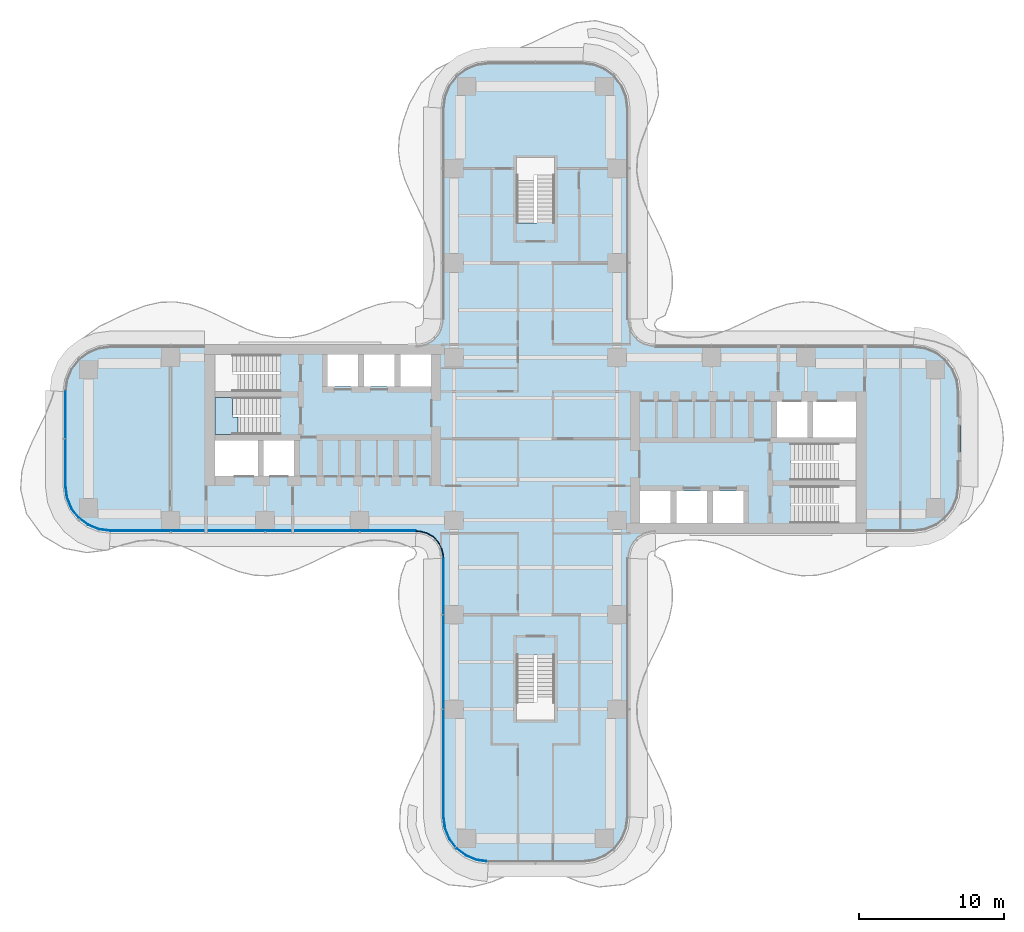
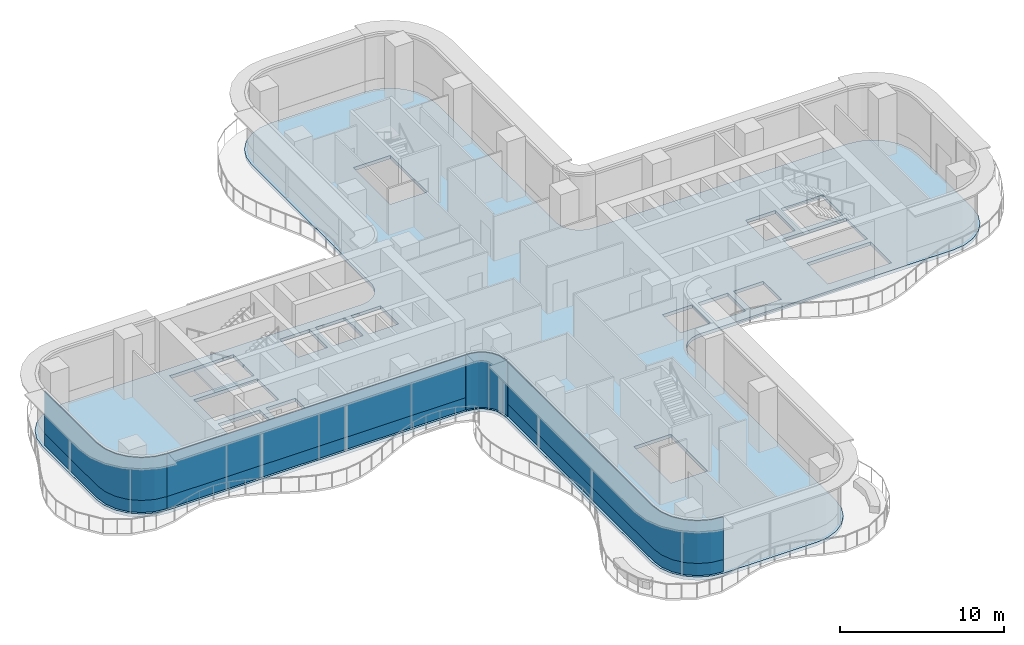
# One storey, part 13 of 21: 7 plates, 2 slabs, 5 elements without a shape of their own.
"""IFC4 building model written with IfcOpenShell, lengths in metres."""

from ifc_helpers import new_model, si_unit, direction, frame, origin, place, context, subcontext, project, spatial, polyline, outline, extrude, source, transform, mapped, material, layer, layer_set, type_object, element, aggregate, save


model = new_model("IFC4")

# Units and contexts
model_context = context("Model", 3, precision=1e-05, world=origin(), true_north=direction((0.0, 1.0)))
body_context = subcontext(model_context, "Body", "Model", "MODEL_VIEW")
ifc_project = project(units=[si_unit("LENGTHUNIT", "METRE"), si_unit("AREAUNIT", "SQUARE_METRE"), si_unit("VOLUMEUNIT", "CUBIC_METRE"), si_unit("PLANEANGLEUNIT", "RADIAN"), si_unit("MASSUNIT", "GRAM", prefix="KILO")], contexts=[model_context])

# Site, building, storey
site_placement = place(None, origin())
site = spatial("IfcSite", under=ifc_project, at=site_placement, CompositionType="ELEMENT")
building_placement = place(site_placement, origin())
building = spatial("IfcBuilding", under=site, at=building_placement, Name="Trellis Farm Tower", CompositionType="ELEMENT")
storey_placement = place(building_placement, frame((0.0, 0.0, 115.5)))
storey = spatial("IfcBuildingStorey", under=building, at=storey_placement, Name="L24", CompositionType="ELEMENT", Elevation=115.5)

# Slab
ifc_material_1 = material(Name="Concrete C40/50", Category="concrete")
ifc_layer_1 = layer(ifc_material_1, 0.25)
ifc_layer_set_1 = layer_set([ifc_layer_1], Name="Composite deck floor slab 250")
slab_type_1 = type_object("IfcSlabType", Name="Composite deck floor slab 250", PredefinedType="FLOOR", material=ifc_layer_set_1)
shared_shape_1 = source(origin(), body_context, "Body", "SweptSolid", [
    extrude(outline(polyline([(-30.09130859375, -6.389404296875), (-30.875, -6.064697265625), (-31.548095703125, -5.548095703125), (-32.064697265625, -4.875), (-32.389404296875, -4.09130859375), (-32.5, -3.25), (-32.5, 3.25), (-32.389404296875, 4.09130859375), (-32.064697265625, 4.875), (-31.548095703125, 5.548095703125), (-30.875, 6.064697265625), (-30.09130859375, 6.389404296875), (-29.25, 6.5), (-8.2314453125, 6.5), (-8.01953125, 6.513916015625), (-7.91552734375, 6.527587890625), (-7.508544921875, 6.63671875), (-7.144287109375, 6.846923828125), (-6.846923828125, 7.144287109375), (-6.63671875, 7.508544921875), (-6.527587890625, 7.91552734375), (-6.513916015625, 8.01953125), (-6.5, 8.2314453125), (-6.5, 22.75), (-6.389404296875, 23.59130859375), (-6.064697265625, 24.375), (-5.548095703125, 25.048095703125), (-4.875, 25.564697265625), (-4.09130859375, 25.889404296875), (-3.25, 26.0), (3.25, 26.0), (4.09130859375, 25.889404296875), (4.875, 25.564697265625), (5.548095703125, 25.048095703125), (6.064697265625, 24.375), (6.389404296875, 23.59130859375), (6.5, 22.75), (6.5, 8.2314453125), (6.513916015625, 8.01953125), (6.527587890625, 7.91552734375), (6.63671875, 7.508544921875), (6.846923828125, 7.144287109375), (7.144287109375, 6.846923828125), (7.508544921875, 6.63671875), (7.91552734375, 6.527587890625), (8.01953125, 6.513916015625), (8.2314453125, 6.5), (26.0, 6.5), (26.84130859375, 6.389404296875), (27.625, 6.064697265625), (28.298095703125, 5.548095703125), (28.814697265625, 4.875), (29.139404296875, 4.09130859375), (29.25, 3.25), (29.25, -3.25), (29.139404296875, -4.09130859375), (28.814697265625, -4.875), (28.298095703125, -5.548095703125), (27.625, -6.064697265625), (26.84130859375, -6.389404296875), (26.0, -6.5), (8.2314453125, -6.5), (8.01953125, -6.513916015625), (7.91552734375, -6.527587890625), (7.508544921875, -6.63671875), (7.144287109375, -6.846923828125), (6.846923828125, -7.144287109375), (6.63671875, -7.508544921875), (6.527587890625, -7.91552734375), (6.513916015625, -8.01953125), (6.5, -8.2314453125), (6.5, -26.0), (6.389404296875, -26.84130859375), (6.064697265625, -27.625), (5.548095703125, -28.298095703125), (4.875, -28.814697265625), (4.09130859375, -29.139404296875), (3.25, -29.25), (-3.25, -29.25), (-4.09130859375, -29.139404296875), (-4.875, -28.814697265625), (-5.548095703125, -28.298095703125), (-6.064697265625, -27.625), (-6.389404296875, -26.84130859375), (-6.5, -26.0), (-6.5, -8.2314453125), (-6.513916015625, -8.01953125), (-6.527587890625, -7.91552734375), (-6.63671875, -7.508544921875), (-6.846923828125, -7.144287109375), (-7.144287109375, -6.846923828125), (-7.508544921875, -6.63671875), (-7.91552734375, -6.527587890625), (-8.01953125, -6.513916015625), (-8.2314453125, -6.5), (-29.25, -6.5), (-30.09130859375, -6.389404296875)]), holes=[polyline([(-22.050048828125, -0.10009765625), (-22.050048828125, -2.550048828125), (-19.10009765625, -2.550048828125), (-19.10009765625, -0.10009765625), (-22.050048828125, -0.10009765625)]), polyline([(-18.699951171875, -0.10009765625), (-18.699951171875, -2.550048828125), (-16.60009765625, -2.550048828125), (-16.60009765625, -0.10009765625), (-18.699951171875, -0.10009765625)]), polyline([(-17.56201171875, 1.64990234375), (-17.56201171875, 2.85009765625), (-22.050048828125, 2.85009765625), (-22.050048828125, 0.300048828125), (-17.56005859375, 0.300048828125), (-17.56005859375, 1.5), (-17.550048828125, 1.5), (-17.550048828125, 1.64990234375), (-17.56201171875, 1.64990234375)]), polyline([(-17.56201171875, 4.60009765625), (-17.56201171875, 5.800048828125), (-22.050048828125, 5.800048828125), (-22.050048828125, 3.25), (-17.56005859375, 3.25), (-17.56005859375, 4.449951171875), (-17.550048828125, 4.449951171875), (-17.550048828125, 4.60009765625), (-17.56201171875, 4.60009765625)]), polyline([(-14.300048828125, 5.800048828125), (-14.300048828125, 3.60009765625), (-12.199951171875, 3.60009765625), (-12.199951171875, 5.800048828125), (-14.300048828125, 5.800048828125)]), polyline([(-11.800048828125, 5.800048828125), (-11.800048828125, 3.60009765625), (-9.699951171875, 3.60009765625), (-9.699951171875, 5.800048828125), (-11.800048828125, 5.800048828125)]), polyline([(-9.300048828125, 5.800048828125), (-9.300048828125, 3.60009765625), (-7.199951171875, 3.60009765625), (-7.199951171875, 5.800048828125), (-9.300048828125, 5.800048828125)]), polyline([(0.10009765625, 14.862060546875), (1.300048828125, 14.862060546875), (1.300048828125, 19.35009765625), (-1.300048828125, 19.35009765625), (-1.300048828125, 14.860107421875), (-0.10009765625, 14.860107421875), (-0.10009765625, 14.85009765625), (0.10009765625, 14.85009765625), (0.10009765625, 14.862060546875)]), polyline([(-0.10009765625, -14.862060546875), (-1.300048828125, -14.862060546875), (-1.300048828125, -19.35009765625), (1.300048828125, -19.35009765625), (1.300048828125, -14.860107421875), (0.10009765625, -14.860107421875), (0.10009765625, -14.85009765625), (-0.10009765625, -14.85009765625), (-0.10009765625, -14.862060546875)]), polyline([(9.300048828125, -5.800048828125), (9.300048828125, -3.60009765625), (7.199951171875, -3.60009765625), (7.199951171875, -5.800048828125), (9.300048828125, -5.800048828125)]), polyline([(11.800048828125, -5.800048828125), (11.800048828125, -3.60009765625), (9.699951171875, -3.60009765625), (9.699951171875, -5.800048828125), (11.800048828125, -5.800048828125)]), polyline([(14.300048828125, -5.800048828125), (14.300048828125, -3.60009765625), (12.199951171875, -3.60009765625), (12.199951171875, -5.800048828125), (14.300048828125, -5.800048828125)]), polyline([(17.56201171875, -4.60009765625), (17.56201171875, -5.800048828125), (22.050048828125, -5.800048828125), (22.050048828125, -3.25), (17.56005859375, -3.25), (17.56005859375, -4.449951171875), (17.550048828125, -4.449951171875), (17.550048828125, -4.60009765625), (17.56201171875, -4.60009765625)]), polyline([(17.56201171875, -1.64990234375), (17.56201171875, -2.85009765625), (22.050048828125, -2.85009765625), (22.050048828125, -0.300048828125), (17.56005859375, -0.300048828125), (17.56005859375, -1.5), (17.550048828125, -1.5), (17.550048828125, -1.64990234375), (17.56201171875, -1.64990234375)]), polyline([(18.699951171875, 0.10009765625), (18.699951171875, 2.550048828125), (16.60009765625, 2.550048828125), (16.60009765625, 0.10009765625), (18.699951171875, 0.10009765625)]), polyline([(22.050048828125, 0.10009765625), (22.050048828125, 2.550048828125), (19.10009765625, 2.550048828125), (19.10009765625, 0.10009765625), (22.050048828125, 0.10009765625)])]), origin(), (0.0, 0.0, 1.0), 0.25),
])
slab_1_placement = place(storey_placement, frame((0.0, 0.0, -0.25)))
element("IfcSlab", 1, at=slab_1_placement, inside=storey, type_object=slab_type_1, Name="Floor slab", PredefinedType="FLOOR", context=body_context, shape_type="MappedRepresentation", body=[
    mapped(shared_shape_1, transform((0.0, 0.0, 0.0))),
])

# Stair, slab
ifc_material_2 = material(Name="Concrete C50/60", Category="concrete")
stair_type = type_object("IfcStairType", Name="CORE EXIT STAIR 26 RISERS 173 MM", PredefinedType="HALF_TURN_STAIR", material=ifc_material_2)
placement_1 = place(storey_placement, origin())
stair = element("IfcStair", 2, at=placement_1, inside=storey, type_object=stair_type, Name="Exit stair W2", PredefinedType="HALF_TURN_STAIR")
ifc_layer_2 = layer(ifc_material_2, 0.18994140625)
ifc_layer_set_2 = layer_set([ifc_layer_2], Name="CORE STAIR LANDING 190 CONCRETE C50/60")
slab_type_2 = type_object("IfcSlabType", Name="CORE STAIR LANDING 190 CONCRETE C50/60", PredefinedType="LANDING", material=ifc_layer_set_2)
shared_shape_2 = source(origin(), body_context, "Body", "SweptSolid", [
    extrude(outline(polyline([(-20.453125, 1.5), (-20.453125, 0.300048828125), (-20.85009765625, 0.300048828125), (-22.050048828125, 0.300048828125), (-22.050048828125, 2.85009765625), (-20.85009765625, 2.85009765625), (-20.840087890625, 2.85009765625), (-20.840087890625, 1.64990234375), (-20.85009765625, 1.64990234375), (-20.85009765625, 1.5), (-20.453125, 1.5)])), origin(), (0.0, 0.0, 1.0), 0.18994140625),
])
slab_2_placement = place(storey_placement, frame((0.0, 0.0, 2.06005859375)))
slab_2 = element("IfcSlab", 3, at=slab_2_placement, type_object=slab_type_2, Name="STW2 landing 1", PredefinedType="LANDING", context=body_context, shape_type="MappedRepresentation", body=[
    mapped(shared_shape_2, transform((0.0, 0.0, 0.0))),
])
aggregate(stair, [slab_2])

# Curtain wall, plates
ifc_material_3 = material(Name="Aluminium and glass curtain wall", Category="aluminium")
ifc_layer_3 = layer(ifc_material_3, 0.18994140625)
ifc_layer_set_3 = layer_set([ifc_layer_3], Name="RIBBON CURTAIN WALL CW1")
curtain_wall_type_1 = type_object("IfcCurtainWallType", Name="RIBBON CURTAIN WALL CW1", PredefinedType="NOTDEFINED", material=ifc_layer_set_3)
curtain_wall_1 = element("IfcCurtainWall", 4, at=placement_1, inside=storey, type_object=curtain_wall_type_1, Name="CW1 001", PredefinedType="NOTDEFINED")
ifc_material_4 = material(Name="Clear insulated glass", Category="glass")
ifc_layer_4 = layer(ifc_material_4, 0.0400390625)
ifc_layer_set_4 = layer_set([ifc_layer_4], Name="CW1 GLASS PANEL 40")
plate_type_1 = type_object("IfcPlateType", Name="CW1 GLASS PANEL 40", PredefinedType="CURTAIN_PANEL", material=ifc_layer_set_4)
shared_shape_3 = source(origin(), body_context, "Body", "SweptSolid", [
    extrude(outline(polyline([(-29.240234375, -6.35009765625), (-8.2265625, -6.35009765625), (-8.22509765625, -6.31005859375), (-29.237548828125, -6.31005859375), (-29.240234375, -6.35009765625)])), origin(), (0.0, 0.0, 1.0), 3.170166015625),
])
placement_2 = place(storey_placement, frame((0.0, 0.0, 0.89990234375)))
plate_1 = element("IfcPlate", 5, at=placement_2, type_object=plate_type_1, Name="PL1 001", PredefinedType="CURTAIN_PANEL", context=body_context, shape_type="MappedRepresentation", body=[
    mapped(shared_shape_3, transform((0.0, 0.0, 0.0))),
])
ifc_material_5 = material(Name="Sandstone faced insulated panel", Category="masonry")
ifc_layer_5 = layer(ifc_material_5, 0.050048828125)
ifc_layer_set_5 = layer_set([ifc_layer_5], Name="CW1 STONE SPANDREL PANEL 50")
plate_type_2 = type_object("IfcPlateType", Name="CW1 STONE SPANDREL PANEL 50", PredefinedType="CURTAIN_PANEL", material=ifc_layer_set_5)
shared_shape_4 = source(origin(), body_context, "Body", "SweptSolid", [
    extrude(outline(polyline([(-29.240234375, -6.35009765625), (-8.2265625, -6.35009765625), (-8.224853515625, -6.300048828125), (-29.23681640625, -6.300048828125), (-29.240234375, -6.35009765625)])), origin(), (0.0, 0.0, 1.0), 0.89990234375),
])
plate_2 = element("IfcPlate", 6, at=placement_1, type_object=plate_type_2, Name="PS1 001", PredefinedType="CURTAIN_PANEL", context=body_context, shape_type="MappedRepresentation", body=[
    mapped(shared_shape_4, transform((0.0, 0.0, 0.0))),
])
aggregate(curtain_wall_1, [plate_1, plate_2])

# Curtain wall, plate
ifc_layer_6 = layer(ifc_material_3, 0.166015625)
ifc_layer_set_6 = layer_set([ifc_layer_6], Name="WINTER GARDEN CURTAIN WALL CW3")
curtain_wall_type_2 = type_object("IfcCurtainWallType", Name="WINTER GARDEN CURTAIN WALL CW3", PredefinedType="NOTDEFINED", material=ifc_layer_set_6)
curtain_wall_2 = element("IfcCurtainWall", 7, at=placement_1, inside=storey, type_object=curtain_wall_type_2, Name="CW3 001", PredefinedType="NOTDEFINED")
ifc_layer_7 = layer(ifc_material_4, 0.0458984375)
ifc_layer_set_7 = layer_set([ifc_layer_7], Name="CW3 GLASS PANEL 46")
plate_type_3 = type_object("IfcPlateType", Name="CW3 GLASS PANEL 46", PredefinedType="CURTAIN_PANEL", material=ifc_layer_set_7)
shared_shape_5 = source(origin(), body_context, "Body", "SweptSolid", [
    extrude(outline(polyline([(-8.2275390625, -6.3798828125), (-8.0078125, -6.394287109375), (-7.89208984375, -6.40966796875), (-7.462158203125, -6.52490234375), (-7.070556640625, -6.7509765625), (-6.7509765625, -7.070556640625), (-6.52490234375, -7.462158203125), (-6.40966796875, -7.89208984375), (-6.394287109375, -8.0078125), (-6.3798828125, -8.2275390625), (-6.333984375, -8.22607421875), (-6.3486328125, -8.003173828125), (-6.364501953125, -7.883056640625), (-6.48193359375, -7.4443359375), (-6.714111328125, -7.04248046875), (-7.04248046875, -6.714111328125), (-7.4443359375, -6.48193359375), (-7.883056640625, -6.364501953125), (-8.003173828125, -6.3486328125), (-8.22607421875, -6.333984375), (-8.2275390625, -6.3798828125)])), origin(), (0.0, 0.0, 1.0), 4.10009765625),
])
plate_3 = element("IfcPlate", 8, at=placement_1, type_object=plate_type_3, Name="PL3 001", PredefinedType="CURTAIN_PANEL", context=body_context, shape_type="MappedRepresentation", body=[
    mapped(shared_shape_5, transform((0.0, 0.0, 0.0))),
])
aggregate(curtain_wall_2, [plate_3])

# Curtain wall, plates
curtain_wall_3 = element("IfcCurtainWall", 9, at=placement_1, inside=storey, type_object=curtain_wall_type_1, Name="CW1 002", PredefinedType="NOTDEFINED")
shared_shape_6 = source(origin(), body_context, "Body", "SweptSolid", [
    extrude(outline(polyline([(-6.35009765625, -8.2265625), (-6.35009765625, -25.990234375), (-6.2431640625, -26.802001953125), (-5.93359375, -27.54931640625), (-5.441162109375, -28.191162109375), (-4.79931640625, -28.68359375), (-4.052001953125, -28.9931640625), (-3.240234375, -29.10009765625), (-3.237548828125, -29.06005859375), (-4.04150390625, -28.9541015625), (-4.779296875, -28.648681640625), (-5.41259765625, -28.16259765625), (-5.898681640625, -27.529296875), (-6.2041015625, -26.79150390625), (-6.31005859375, -25.987548828125), (-6.31005859375, -8.22509765625), (-6.35009765625, -8.2265625)])), origin(), (0.0, 0.0, 1.0), 3.170166015625),
])
plate_4 = element("IfcPlate", 10, at=placement_2, type_object=plate_type_1, Name="PL1 002", PredefinedType="CURTAIN_PANEL", context=body_context, shape_type="MappedRepresentation", body=[
    mapped(shared_shape_6, transform((0.0, 0.0, 0.0))),
])
shared_shape_7 = source(origin(), body_context, "Body", "SweptSolid", [
    extrude(outline(polyline([(-6.35009765625, -8.2265625), (-6.35009765625, -25.990234375), (-6.2431640625, -26.802001953125), (-5.93359375, -27.54931640625), (-5.441162109375, -28.191162109375), (-4.79931640625, -28.68359375), (-4.052001953125, -28.9931640625), (-3.240234375, -29.10009765625), (-3.23681640625, -29.050048828125), (-4.0390625, -28.9443359375), (-4.774169921875, -28.639892578125), (-5.405517578125, -28.155517578125), (-5.889892578125, -27.524169921875), (-6.1943359375, -26.7890625), (-6.300048828125, -25.98681640625), (-6.300048828125, -8.224853515625), (-6.35009765625, -8.2265625)])), origin(), (0.0, 0.0, 1.0), 0.89990234375),
])
plate_5 = element("IfcPlate", 11, at=placement_1, type_object=plate_type_2, Name="PS1 002", PredefinedType="CURTAIN_PANEL", context=body_context, shape_type="MappedRepresentation", body=[
    mapped(shared_shape_7, transform((0.0, 0.0, 0.0))),
])
aggregate(curtain_wall_3, [plate_4, plate_5])

curtain_wall_4 = element("IfcCurtainWall", 12, at=placement_1, inside=storey, type_object=curtain_wall_type_1, Name="CW1 013", PredefinedType="NOTDEFINED")
shared_shape_8 = source(origin(), body_context, "Body", "SweptSolid", [
    extrude(outline(polyline([(-32.35009765625, 3.240234375), (-32.35009765625, -3.240234375), (-32.2431640625, -4.052001953125), (-31.93359375, -4.79931640625), (-31.441162109375, -5.441162109375), (-30.79931640625, -5.93359375), (-30.052001953125, -6.2431640625), (-29.240234375, -6.35009765625), (-29.237548828125, -6.31005859375), (-30.04150390625, -6.2041015625), (-30.779296875, -5.898681640625), (-31.41259765625, -5.41259765625), (-31.898681640625, -4.779296875), (-32.2041015625, -4.04150390625), (-32.31005859375, -3.237548828125), (-32.31005859375, 3.237548828125), (-32.35009765625, 3.240234375)])), origin(), (0.0, 0.0, 1.0), 3.170166015625),
])
plate_6 = element("IfcPlate", 13, at=placement_2, type_object=plate_type_1, Name="PL1 013", PredefinedType="CURTAIN_PANEL", context=body_context, shape_type="MappedRepresentation", body=[
    mapped(shared_shape_8, transform((0.0, 0.0, 0.0))),
])
shared_shape_9 = source(origin(), body_context, "Body", "SweptSolid", [
    extrude(outline(polyline([(-32.35009765625, 3.240234375), (-32.35009765625, -3.240234375), (-32.2431640625, -4.052001953125), (-31.93359375, -4.79931640625), (-31.441162109375, -5.441162109375), (-30.79931640625, -5.93359375), (-30.052001953125, -6.2431640625), (-29.240234375, -6.35009765625), (-29.23681640625, -6.300048828125), (-30.0390625, -6.1943359375), (-30.774169921875, -5.889892578125), (-31.405517578125, -5.405517578125), (-31.889892578125, -4.774169921875), (-32.1943359375, -4.0390625), (-32.300048828125, -3.23681640625), (-32.300048828125, 3.23681640625), (-32.35009765625, 3.240234375)])), origin(), (0.0, 0.0, 1.0), 0.89990234375),
])
plate_7 = element("IfcPlate", 14, at=placement_1, type_object=plate_type_2, Name="PS1 013", PredefinedType="CURTAIN_PANEL", context=body_context, shape_type="MappedRepresentation", body=[
    mapped(shared_shape_9, transform((0.0, 0.0, 0.0))),
])
aggregate(curtain_wall_4, [plate_6, plate_7])

save(model, "model.ifc")
